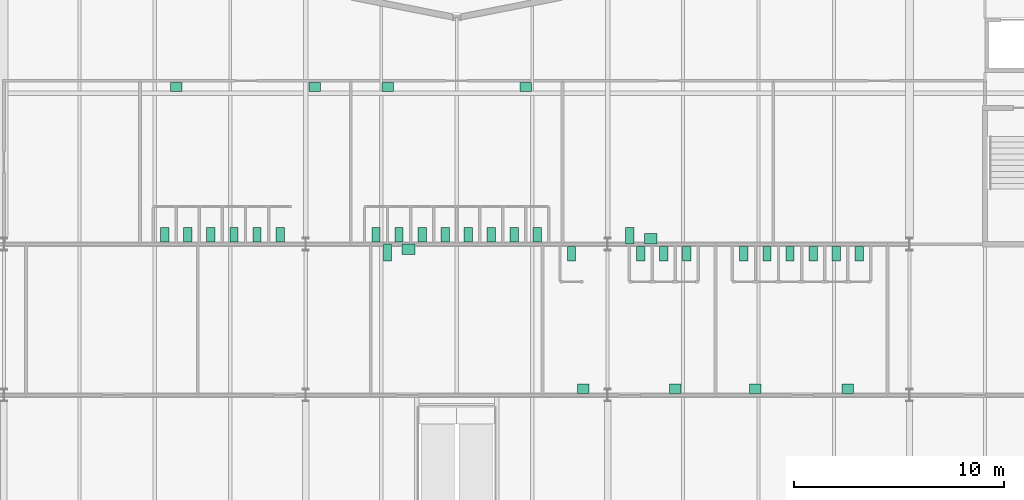
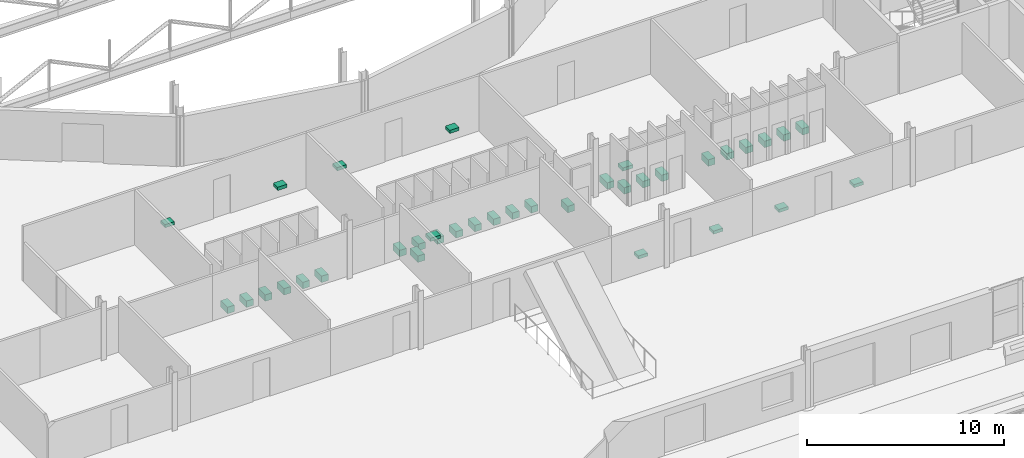
# One storey, part 142 of 143: 36 sanitary terminals.
"""IFC4 building model written with IfcOpenShell, lengths in metres."""

from ifc_helpers import new_model, si_unit, direction, frame, origin, origin_2d, place, context, subcontext, project, spatial, rectangle, extrude, element, save


model = new_model("IFC4")

# Units and contexts
model_context = context("Model", 3, precision=1e-05, world=origin(), true_north=direction((0.0, 1.0)))
body_context = subcontext(model_context, "Body", "Model", "MODEL_VIEW")
ifc_project = project(units=[si_unit("LENGTHUNIT", "METRE"), si_unit("AREAUNIT", "SQUARE_METRE"), si_unit("VOLUMEUNIT", "CUBIC_METRE"), si_unit("PLANEANGLEUNIT", "RADIAN"), si_unit("MASSUNIT", "GRAM", prefix="KILO")], contexts=[model_context])

# Site, building, storey
site_placement = place(None, origin())
site = spatial("IfcSite", under=ifc_project, at=site_placement, CompositionType="ELEMENT")
building_placement = place(site_placement, origin())
building = spatial("IfcBuilding", under=site, at=building_placement, Name="Kupolbacken Congress Centre", CompositionType="ELEMENT")
storey_placement = place(building_placement, frame((0.0, 0.0, 7.199951171875)))
storey = spatial("IfcBuildingStorey", under=building, at=storey_placement, Name="L02", CompositionType="ELEMENT", Elevation=7.199951171875)

# Sanitary terminals
for number, where, z_axis, x_axis, name in (
    (1, (48.675048828125, 49.949951171875, 0.0), (0.0, 0.0, 1.0), (1.0, 0.0, 0.0), "WC pan"),
    (2, (51.97509765625, 49.949951171875, 0.0), (0.0, 0.0, 1.0), (1.0, 0.0, 0.0), "WC pan"),
    (3, (53.074951171875, 49.949951171875, 0.0), (0.0, 0.0, 1.0), (1.0, 0.0, 0.0), "WC pan"),
    (4, (54.175048828125, 49.949951171875, 0.0), (0.0, 0.0, 1.0), (1.0, 0.0, 0.0), "WC pan"),
):
    element("IfcSanitaryTerminal", number, at=place(storey_placement, frame(where, z_axis=z_axis, x_axis=x_axis)), inside=storey, Name=name, PredefinedType="TOILETPAN", context=body_context, shape_type="SweptSolid", body=[
        extrude(rectangle(XDim=0.39990234375, YDim=0.699951171875, at=origin_2d()), origin(), (0.0, 0.0, 1.0), 0.39990234375),
    ])
for number, where, z_axis, x_axis, name in (
    (5, (49.22509765625, 43.5, 0.80029296875), (0.0, 0.0, 1.0), (1.0, 0.0, 0.0), "Wash basin"),
    (6, (53.625, 43.5, 0.80029296875), (0.0, 0.0, 1.0), (1.0, 0.0, 0.0), "Wash basin"),
):
    element("IfcSanitaryTerminal", number, at=place(storey_placement, frame(where, z_axis=z_axis, x_axis=x_axis)), inside=storey, Name=name, PredefinedType="WASHHANDBASIN", context=body_context, shape_type="SweptSolid", body=[
        extrude(rectangle(XDim=0.550048828125, YDim=0.449951171875, at=origin_2d()), origin(), (0.0, 0.0, 1.0), 0.199951171875),
    ])
for number, where, z_axis, x_axis, name in (
    (7, (56.89990234375, 49.949951171875, 0.0), (0.0, 0.0, 1.0), (1.0, 0.0, 0.0), "WC pan"),
    (8, (58.0, 49.949951171875, 0.0), (0.0, 0.0, 1.0), (1.0, 0.0, 0.0), "WC pan"),
    (9, (59.10009765625, 49.949951171875, 0.0), (0.0, 0.0, 1.0), (1.0, 0.0, 0.0), "WC pan"),
    (10, (60.199951171875, 49.949951171875, 0.0), (0.0, 0.0, 1.0), (1.0, 0.0, 0.0), "WC pan"),
    (11, (61.300048828125, 49.949951171875, 0.0), (0.0, 0.0, 1.0), (1.0, 0.0, 0.0), "WC pan"),
    (12, (62.39990234375, 49.949951171875, 0.0), (0.0, 0.0, 1.0), (1.0, 0.0, 0.0), "WC pan"),
):
    element("IfcSanitaryTerminal", number, at=place(storey_placement, frame(where, z_axis=z_axis, x_axis=x_axis)), inside=storey, Name=name, PredefinedType="TOILETPAN", context=body_context, shape_type="SweptSolid", body=[
        extrude(rectangle(XDim=0.39990234375, YDim=0.699951171875, at=origin_2d()), origin(), (0.0, 0.0, 1.0), 0.39990234375),
    ])
for number, where, z_axis, x_axis, name in (
    (13, (57.449951171875, 43.5, 0.80029296875), (0.0, 0.0, 1.0), (1.0, 0.0, 0.0), "Wash basin"),
    (14, (61.85009765625, 43.5, 0.80029296875), (0.0, 0.0, 1.0), (1.0, 0.0, 0.0), "Wash basin"),
):
    element("IfcSanitaryTerminal", number, at=place(storey_placement, frame(where, z_axis=z_axis, x_axis=x_axis)), inside=storey, Name=name, PredefinedType="WASHHANDBASIN", context=body_context, shape_type="SweptSolid", body=[
        extrude(rectangle(XDim=0.550048828125, YDim=0.449951171875, at=origin_2d()), origin(), (0.0, 0.0, 1.0), 0.199951171875),
    ])
for number, where, z_axis, x_axis, name in (
    (15, (29.27490234375, 50.85009765625, 0.0), (0.0, 0.0, 1.0), (1.0, 0.0, 0.0), "WC pan"),
    (16, (30.375, 50.85009765625, 0.0), (0.0, 0.0, 1.0), (1.0, 0.0, 0.0), "WC pan"),
    (17, (31.47509765625, 50.85009765625, 0.0), (0.0, 0.0, 1.0), (1.0, 0.0, 0.0), "WC pan"),
    (18, (32.574951171875, 50.85009765625, 0.0), (0.0, 0.0, 1.0), (1.0, 0.0, 0.0), "WC pan"),
    (19, (33.675048828125, 50.85009765625, 0.0), (0.0, 0.0, 1.0), (1.0, 0.0, 0.0), "WC pan"),
    (20, (34.77490234375, 50.85009765625, 0.0), (0.0, 0.0, 1.0), (1.0, 0.0, 0.0), "WC pan"),
):
    element("IfcSanitaryTerminal", number, at=place(storey_placement, frame(where, z_axis=z_axis, x_axis=x_axis)), inside=storey, Name=name, PredefinedType="TOILETPAN", context=body_context, shape_type="SweptSolid", body=[
        extrude(rectangle(XDim=0.39990234375, YDim=0.699951171875, at=origin_2d()), origin(), (0.0, 0.0, 1.0), 0.39990234375),
    ])
for number, where, z_axis, x_axis, name in (
    (21, (29.824951171875, 57.89990234375, 0.80029296875), (0.0, 0.0, 1.0), (1.0, 0.0, 0.0), "Wash basin"),
    (22, (36.425048828125, 57.89990234375, 0.80029296875), (0.0, 0.0, 1.0), (1.0, 0.0, 0.0), "Wash basin"),
):
    element("IfcSanitaryTerminal", number, at=place(storey_placement, frame(where, z_axis=z_axis, x_axis=x_axis)), inside=storey, Name=name, PredefinedType="WASHHANDBASIN", context=body_context, shape_type="SweptSolid", body=[
        extrude(rectangle(XDim=0.550048828125, YDim=0.449951171875, at=origin_2d()), origin(), (0.0, 0.0, 1.0), 0.199951171875),
    ])
for number, where, z_axis, x_axis, name in (
    (23, (39.35009765625, 50.85009765625, 0.0), (0.0, 0.0, 1.0), (1.0, 0.0, 0.0), "WC pan"),
    (24, (40.449951171875, 50.85009765625, 0.0), (0.0, 0.0, 1.0), (1.0, 0.0, 0.0), "WC pan"),
    (25, (41.550048828125, 50.85009765625, 0.0), (0.0, 0.0, 1.0), (1.0, 0.0, 0.0), "WC pan"),
    (26, (42.64990234375, 50.85009765625, 0.0), (0.0, 0.0, 1.0), (1.0, 0.0, 0.0), "WC pan"),
    (27, (43.75, 50.85009765625, 0.0), (0.0, 0.0, 1.0), (1.0, 0.0, 0.0), "WC pan"),
    (28, (44.85009765625, 50.85009765625, 0.0), (0.0, 0.0, 1.0), (1.0, 0.0, 0.0), "WC pan"),
    (29, (45.949951171875, 50.85009765625, 0.0), (0.0, 0.0, 1.0), (1.0, 0.0, 0.0), "WC pan"),
    (30, (47.050048828125, 50.85009765625, 0.0), (0.0, 0.0, 1.0), (1.0, 0.0, 0.0), "WC pan"),
):
    element("IfcSanitaryTerminal", number, at=place(storey_placement, frame(where, z_axis=z_axis, x_axis=x_axis)), inside=storey, Name=name, PredefinedType="TOILETPAN", context=body_context, shape_type="SweptSolid", body=[
        extrude(rectangle(XDim=0.39990234375, YDim=0.699951171875, at=origin_2d()), origin(), (0.0, 0.0, 1.0), 0.39990234375),
    ])
for number, where, z_axis, x_axis, name in (
    (31, (39.89990234375, 57.89990234375, 0.80029296875), (0.0, 0.0, 1.0), (1.0, 0.0, 0.0), "Wash basin"),
    (32, (46.5, 57.89990234375, 0.80029296875), (0.0, 0.0, 1.0), (1.0, 0.0, 0.0), "Wash basin"),
):
    element("IfcSanitaryTerminal", number, at=place(storey_placement, frame(where, z_axis=z_axis, x_axis=x_axis)), inside=storey, Name=name, PredefinedType="WASHHANDBASIN", context=body_context, shape_type="SweptSolid", body=[
        extrude(rectangle(XDim=0.550048828125, YDim=0.449951171875, at=origin_2d()), origin(), (0.0, 0.0, 1.0), 0.199951171875),
    ])
sanitary_terminal_1_placement = place(storey_placement, frame((39.89990234375, 50.0, 0.0), z_axis=(0.0, 0.0, 1.0), x_axis=(1.0, 0.0, 0.0)))
element("IfcSanitaryTerminal", 33, at=sanitary_terminal_1_placement, inside=storey, Name="Accessible WC pan", PredefinedType="TOILETPAN", context=body_context, shape_type="SweptSolid", body=[
    extrude(rectangle(XDim=0.39990234375, YDim=0.800048828125, at=origin_2d()), origin(), (0.0, 0.0, 1.0), 0.39990234375),
])
sanitary_terminal_2_placement = place(storey_placement, frame((40.89990234375, 50.14990234375, 0.80029296875), z_axis=(0.0, 0.0, 1.0), x_axis=(1.0, 0.0, 0.0)))
element("IfcSanitaryTerminal", 34, at=sanitary_terminal_2_placement, inside=storey, Name="Accessible wash basin", PredefinedType="WASHHANDBASIN", context=body_context, shape_type="SweptSolid", body=[
    extrude(rectangle(XDim=0.60009765625, YDim=0.5, at=origin_2d()), origin(), (0.0, 0.0, 1.0), 0.199951171875),
])
sanitary_terminal_3_placement = place(storey_placement, frame((51.449951171875, 50.800048828125, 0.0), z_axis=(0.0, 0.0, 1.0), x_axis=(1.0, 0.0, 0.0)))
element("IfcSanitaryTerminal", 35, at=sanitary_terminal_3_placement, inside=storey, Name="Accessible WC pan", PredefinedType="TOILETPAN", context=body_context, shape_type="SweptSolid", body=[
    extrude(rectangle(XDim=0.39990234375, YDim=0.800048828125, at=origin_2d()), origin(), (0.0, 0.0, 1.0), 0.39990234375),
])
sanitary_terminal_4_placement = place(storey_placement, frame((52.449951171875, 50.64990234375, 0.80029296875), z_axis=(0.0, 0.0, 1.0), x_axis=(1.0, 0.0, 0.0)))
element("IfcSanitaryTerminal", 36, at=sanitary_terminal_4_placement, inside=storey, Name="Accessible wash basin", PredefinedType="WASHHANDBASIN", context=body_context, shape_type="SweptSolid", body=[
    extrude(rectangle(XDim=0.60009765625, YDim=0.5, at=origin_2d()), origin(), (0.0, 0.0, 1.0), 0.199951171875),
])

save(model, "model.ifc")
